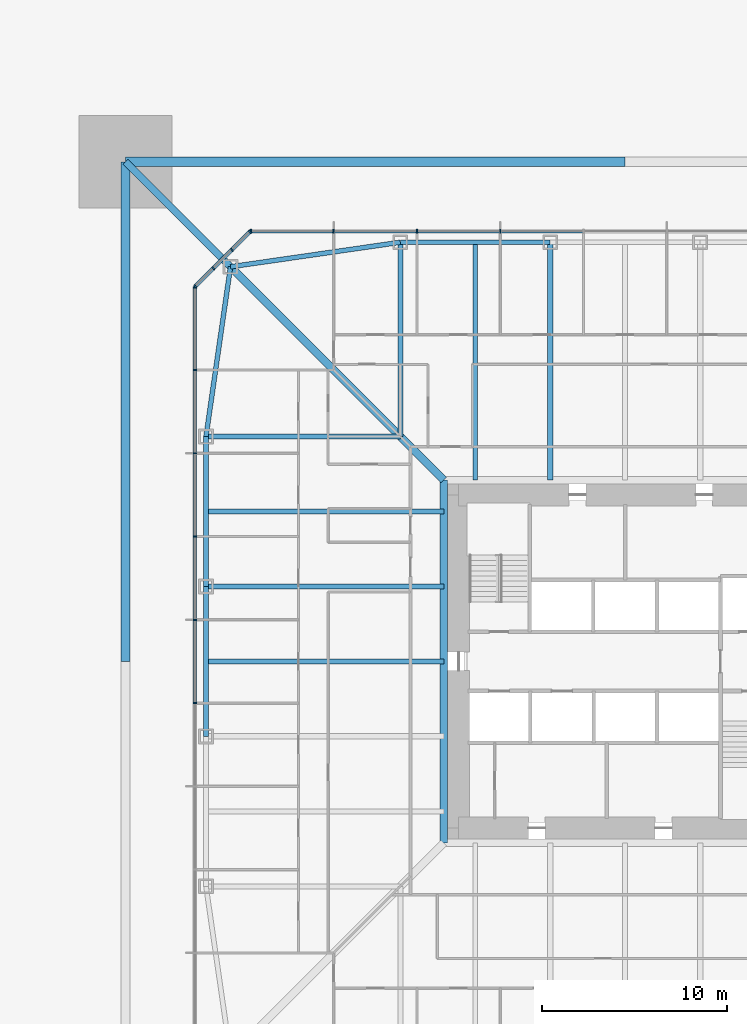
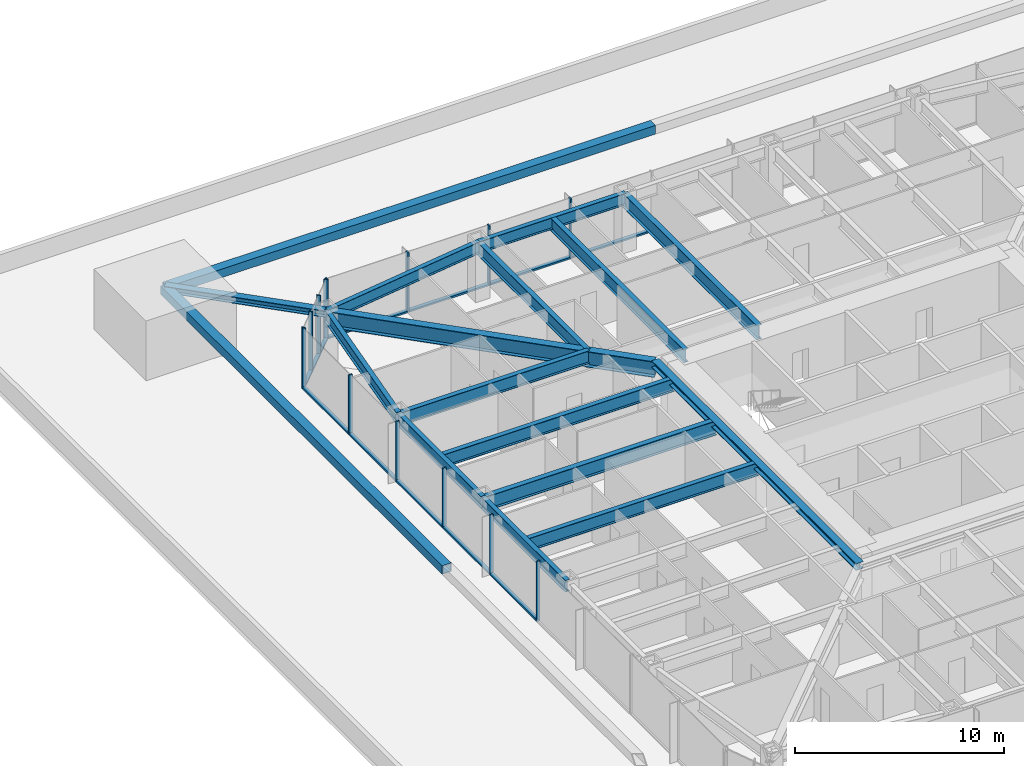
# One storey, part 6 of 31: 29 members, 14 beams, 3 elements without a shape of their own.
"""IFC4 building model written with IfcOpenShell, lengths in metres."""

from ifc_helpers import new_model, si_unit, direction, frame, origin, origin_2d, place, context, subcontext, project, spatial, rectangle, hollow_rectangle, i_section, extrude, material, material_profile, profile_set, type_object, element, aggregate, save


model = new_model("IFC4")

# Units and contexts
model_context = context("Model", 3, precision=1e-05, world=origin(), true_north=direction((0.0, 1.0)))
body_context = subcontext(model_context, "Body", "Model", "MODEL_VIEW")
ifc_project = project(units=[si_unit("LENGTHUNIT", "METRE"), si_unit("AREAUNIT", "SQUARE_METRE"), si_unit("VOLUMEUNIT", "CUBIC_METRE"), si_unit("PLANEANGLEUNIT", "RADIAN"), si_unit("MASSUNIT", "GRAM", prefix="KILO")], contexts=[model_context])

# Site, building, storey
site_placement = place(None, origin())
site = spatial("IfcSite", under=ifc_project, at=site_placement, CompositionType="ELEMENT")
building_placement = place(site_placement, origin())
building = spatial("IfcBuilding", under=site, at=building_placement, Name="Iwan Alto Co-Living Towers", CompositionType="ELEMENT")
storey_placement = place(building_placement, frame((0.0, 0.0, 15.0)))
storey = spatial("IfcBuildingStorey", under=building, at=storey_placement, Name="L03", CompositionType="ELEMENT", Elevation=15.0)

# Curtain wall, members
ifc_material_1 = material(Name="Bronze aluminium unitised frame", Category="aluminium")
curtain_wall_type_1 = type_object("IfcCurtainWallType", Name="CURTAIN WALL CW-A", PredefinedType="NOTDEFINED", material=ifc_material_1)
curtain_wall_1_placement = place(storey_placement, origin())
curtain_wall_1 = element("IfcCurtainWall", 1, at=curtain_wall_1_placement, inside=storey, type_object=curtain_wall_type_1, Name="T1 curtain wall N L03", PredefinedType="NOTDEFINED")
ifc_material_2 = material(Name="Aluminium 6063-T6 bronze anodised", Category="aluminium")
ifc_material_profile_1 = material_profile(ifc_material_2, rectangle(XDim=0.199951171875, YDim=0.080078125, at=origin_2d()), Name="AL 80X200")
ifc_profile_set_1 = profile_set([ifc_material_profile_1], Name="Aluminium 6063-T6 bronze anodised")
member_type_1 = type_object("IfcMemberType", Name="CW-A MULLION 80X200", PredefinedType="MULLION", material=ifc_profile_set_1)
member_1_placement = place(storey_placement, frame((-6.75, 23.25, 0.0), z_axis=(0.0, 0.0, 1.0), x_axis=(0.0, -1.0, 0.0)))
member_1 = element("IfcMember", 2, at=member_1_placement, type_object=member_type_1, Name="CW-A mullion 7", PredefinedType="MULLION", context=body_context, shape_type="SweptSolid", body=[
    extrude(rectangle(XDim=0.199951171875, YDim=0.080078125, at=origin_2d()), origin(), (0.0, 0.0, 1.0), 3.5),
])
member_2_placement = place(storey_placement, frame((-11.25, 23.25, 0.0), z_axis=(0.0, 0.0, 1.0), x_axis=(0.0, -1.0, 0.0)))
member_2 = element("IfcMember", 3, at=member_2_placement, type_object=member_type_1, Name="CW-A mullion 8", PredefinedType="MULLION", context=body_context, shape_type="SweptSolid", body=[
    extrude(rectangle(XDim=0.199951171875, YDim=0.080078125, at=origin_2d()), origin(), (0.0, 0.0, 1.0), 3.5),
])
member_3_placement = place(storey_placement, frame((-15.75, 23.25, 0.0), z_axis=(0.0, 0.0, 1.0), x_axis=(0.0, -1.0, 0.0)))
member_3 = element("IfcMember", 4, at=member_3_placement, type_object=member_type_1, Name="CW-A mullion 9", PredefinedType="MULLION", context=body_context, shape_type="SweptSolid", body=[
    extrude(rectangle(XDim=0.199951171875, YDim=0.080078125, at=origin_2d()), origin(), (0.0, 0.0, 1.0), 3.5),
])
member_4_placement = place(storey_placement, frame((-20.2099609375, 23.25, 0.0), z_axis=(0.0, 0.0, 1.0), x_axis=(0.0, -1.0, 0.0)))
member_4 = element("IfcMember", 5, at=member_4_placement, type_object=member_type_1, Name="CW-A mullion 10", PredefinedType="MULLION", context=body_context, shape_type="SweptSolid", body=[
    extrude(rectangle(XDim=0.199951171875, YDim=0.080078125, at=origin_2d()), origin(), (0.0, 0.0, 1.0), 3.5),
])

curtain_wall_2_placement = place(storey_placement, origin())
curtain_wall_2 = element("IfcCurtainWall", 6, at=curtain_wall_2_placement, inside=storey, type_object=curtain_wall_type_1, Name="T1 curtain wall W L03", PredefinedType="NOTDEFINED")
member_5_placement = place(storey_placement, frame((-23.25, 20.2099609375, 0.0), z_axis=(0.0, 0.0, 1.0), x_axis=(1.0, 0.0, 0.0)))
member_5 = element("IfcMember", 7, at=member_5_placement, type_object=member_type_1, Name="CW-A mullion 1", PredefinedType="MULLION", context=body_context, shape_type="SweptSolid", body=[
    extrude(rectangle(XDim=0.199951171875, YDim=0.080078125, at=origin_2d()), origin(), (0.0, 0.0, 1.0), 3.5),
])
member_6_placement = place(storey_placement, frame((-23.25, 15.75, 0.0), z_axis=(0.0, 0.0, 1.0), x_axis=(1.0, 0.0, 0.0)))
member_6 = element("IfcMember", 8, at=member_6_placement, type_object=member_type_1, Name="CW-A mullion 2", PredefinedType="MULLION", context=body_context, shape_type="SweptSolid", body=[
    extrude(rectangle(XDim=0.199951171875, YDim=0.080078125, at=origin_2d()), origin(), (0.0, 0.0, 1.0), 3.5),
])
member_7_placement = place(storey_placement, frame((-23.25, 11.25, 0.0), z_axis=(0.0, 0.0, 1.0), x_axis=(1.0, 0.0, 0.0)))
member_7 = element("IfcMember", 9, at=member_7_placement, type_object=member_type_1, Name="CW-A mullion 3", PredefinedType="MULLION", context=body_context, shape_type="SweptSolid", body=[
    extrude(rectangle(XDim=0.199951171875, YDim=0.080078125, at=origin_2d()), origin(), (0.0, 0.0, 1.0), 3.5),
])
member_8_placement = place(storey_placement, frame((-23.25, 6.75, 0.0), z_axis=(0.0, 0.0, 1.0), x_axis=(1.0, 0.0, 0.0)))
member_8 = element("IfcMember", 10, at=member_8_placement, type_object=member_type_1, Name="CW-A mullion 4", PredefinedType="MULLION", context=body_context, shape_type="SweptSolid", body=[
    extrude(rectangle(XDim=0.199951171875, YDim=0.080078125, at=origin_2d()), origin(), (0.0, 0.0, 1.0), 3.5),
])
member_9_placement = place(storey_placement, frame((-23.25, 2.25, 0.0), z_axis=(0.0, 0.0, 1.0), x_axis=(1.0, 0.0, 0.0)))
member_9 = element("IfcMember", 11, at=member_9_placement, type_object=member_type_1, Name="CW-A mullion 5", PredefinedType="MULLION", context=body_context, shape_type="SweptSolid", body=[
    extrude(rectangle(XDim=0.199951171875, YDim=0.080078125, at=origin_2d()), origin(), (0.0, 0.0, 1.0), 3.5),
])
member_10_placement = place(storey_placement, frame((-23.25, -2.25, 0.0), z_axis=(0.0, 0.0, 1.0), x_axis=(1.0, 0.0, 0.0)))
member_10 = element("IfcMember", 12, at=member_10_placement, type_object=member_type_1, Name="CW-A mullion 6", PredefinedType="MULLION", context=body_context, shape_type="SweptSolid", body=[
    extrude(rectangle(XDim=0.199951171875, YDim=0.080078125, at=origin_2d()), origin(), (0.0, 0.0, 1.0), 3.5),
])

# Member
ifc_material_3 = material(Name="Aluminium 6063-T6 bronze anodised", Category="aluminium")
ifc_material_profile_2 = material_profile(ifc_material_3, rectangle(XDim=0.199951171875, YDim=0.10009765625, at=origin_2d()), Name="AL 200X100")
ifc_profile_set_2 = profile_set([ifc_material_profile_2], Name="Aluminium 6063-T6 bronze anodised")
member_type_2 = type_object("IfcMemberType", Name="CW-A TRANSOM 200X100", PredefinedType="USERDEFINED", material=ifc_profile_set_2)
member_11_placement = place(storey_placement, frame((-2.2900390625, 23.25, 0.050048828125), z_axis=(-1.0, 0.0, 0.0), x_axis=(0.0, -1.0, 0.0)))
member_11 = element("IfcMember", 13, at=member_11_placement, type_object=member_type_2, Name="CW-A transom 6.1", ObjectType="TRANSOM", PredefinedType="USERDEFINED", context=body_context, shape_type="SweptSolid", body=[
    extrude(rectangle(XDim=0.199951171875, YDim=0.10009765625, at=origin_2d()), origin(), (0.0, 0.0, 1.0), 4.419921875),
])

member_12_placement = place(storey_placement, frame((-6.7900390625, 23.25, 0.050048828125), z_axis=(-1.0, 0.0, 0.0), x_axis=(0.0, -1.0, 0.0)))
member_12 = element("IfcMember", 14, at=member_12_placement, type_object=member_type_2, Name="CW-A transom 7.1", ObjectType="TRANSOM", PredefinedType="USERDEFINED", context=body_context, shape_type="SweptSolid", body=[
    extrude(rectangle(XDim=0.199951171875, YDim=0.10009765625, at=origin_2d()), origin(), (0.0, 0.0, 1.0), 4.419921875),
])

member_13_placement = place(storey_placement, frame((-11.2900390625, 23.25, 0.050048828125), z_axis=(-1.0, 0.0, 0.0), x_axis=(0.0, -1.0, 0.0)))
member_13 = element("IfcMember", 15, at=member_13_placement, type_object=member_type_2, Name="CW-A transom 8.1", ObjectType="TRANSOM", PredefinedType="USERDEFINED", context=body_context, shape_type="SweptSolid", body=[
    extrude(rectangle(XDim=0.199951171875, YDim=0.10009765625, at=origin_2d()), origin(), (0.0, 0.0, 1.0), 4.419921875),
])

member_14_placement = place(storey_placement, frame((-15.7900390625, 23.25, 0.050048828125), z_axis=(-1.0, 0.0, 0.0), x_axis=(0.0, -1.0, 0.0)))
member_14 = element("IfcMember", 16, at=member_14_placement, type_object=member_type_2, Name="CW-A transom 9.1", ObjectType="TRANSOM", PredefinedType="USERDEFINED", context=body_context, shape_type="SweptSolid", body=[
    extrude(rectangle(XDim=0.199951171875, YDim=0.10009765625, at=origin_2d()), origin(), (0.0, 0.0, 1.0), 4.3798828125),
])

aggregate(curtain_wall_1, [member_1, member_2, member_3, member_4, member_11, member_12, member_13, member_14])

member_15_placement = place(storey_placement, frame((-23.25, 20.169921875, 0.050048828125), z_axis=(0.0, -1.0, 0.0), x_axis=(1.0, 0.0, 0.0)))
member_15 = element("IfcMember", 17, at=member_15_placement, type_object=member_type_2, Name="CW-A transom 1.1", ObjectType="TRANSOM", PredefinedType="USERDEFINED", context=body_context, shape_type="SweptSolid", body=[
    extrude(rectangle(XDim=0.199951171875, YDim=0.10009765625, at=origin_2d()), origin(), (0.0, 0.0, 1.0), 4.3798828125),
])

member_16_placement = place(storey_placement, frame((-23.25, 15.7099609375, 0.050048828125), z_axis=(0.0, -1.0, 0.0), x_axis=(1.0, 0.0, 0.0)))
member_16 = element("IfcMember", 18, at=member_16_placement, type_object=member_type_2, Name="CW-A transom 2.1", ObjectType="TRANSOM", PredefinedType="USERDEFINED", context=body_context, shape_type="SweptSolid", body=[
    extrude(rectangle(XDim=0.199951171875, YDim=0.10009765625, at=origin_2d()), origin(), (0.0, 0.0, 1.0), 4.419921875),
])

member_17_placement = place(storey_placement, frame((-23.25, 11.2099609375, 0.050048828125), z_axis=(0.0, -1.0, 0.0), x_axis=(1.0, 0.0, 0.0)))
member_17 = element("IfcMember", 19, at=member_17_placement, type_object=member_type_2, Name="CW-A transom 3.1", ObjectType="TRANSOM", PredefinedType="USERDEFINED", context=body_context, shape_type="SweptSolid", body=[
    extrude(rectangle(XDim=0.199951171875, YDim=0.10009765625, at=origin_2d()), origin(), (0.0, 0.0, 1.0), 4.419921875),
])

member_18_placement = place(storey_placement, frame((-23.25, 6.7099609375, 0.050048828125), z_axis=(0.0, -1.0, 0.0), x_axis=(1.0, 0.0, 0.0)))
member_18 = element("IfcMember", 20, at=member_18_placement, type_object=member_type_2, Name="CW-A transom 4.1", ObjectType="TRANSOM", PredefinedType="USERDEFINED", context=body_context, shape_type="SweptSolid", body=[
    extrude(rectangle(XDim=0.199951171875, YDim=0.10009765625, at=origin_2d()), origin(), (0.0, 0.0, 1.0), 4.419921875),
])

member_19_placement = place(storey_placement, frame((-23.25, 2.2099609375, 0.050048828125), z_axis=(0.0, -1.0, 0.0), x_axis=(1.0, 0.0, 0.0)))
member_19 = element("IfcMember", 21, at=member_19_placement, type_object=member_type_2, Name="CW-A transom 5.1", ObjectType="TRANSOM", PredefinedType="USERDEFINED", context=body_context, shape_type="SweptSolid", body=[
    extrude(rectangle(XDim=0.199951171875, YDim=0.10009765625, at=origin_2d()), origin(), (0.0, 0.0, 1.0), 4.419921875),
])

aggregate(curtain_wall_2, [member_5, member_6, member_7, member_8, member_9, member_10, member_15, member_16, member_17, member_18, member_19])

# Curtain wall, members
ifc_material_4 = material(Name="Bronze aluminium unitised frame", Category="aluminium")
curtain_wall_type_2 = type_object("IfcCurtainWallType", Name="CURTAIN WALL CW-B", PredefinedType="NOTDEFINED", material=ifc_material_4)
curtain_wall_3_placement = place(storey_placement, origin())
curtain_wall_3 = element("IfcCurtainWall", 22, at=curtain_wall_3_placement, inside=storey, type_object=curtain_wall_type_2, Name="T1 chamfer curtain wall NW L03", PredefinedType="NOTDEFINED")
ifc_material_5 = material(Name="Aluminium 6063-T6 bronze anodised", Category="aluminium")
ifc_material_profile_3 = material_profile(ifc_material_5, rectangle(XDim=0.199951171875, YDim=0.080078125, at=origin_2d()), Name="AL 80X200")
ifc_profile_set_3 = profile_set([ifc_material_profile_3], Name="Aluminium 6063-T6 bronze anodised")
member_type_3 = type_object("IfcMemberType", Name="CW-B MULLION 80X200", PredefinedType="MULLION", material=ifc_profile_set_3)
member_20_placement = place(storey_placement, frame((-20.2783203125, 23.2216796875, 0.0), z_axis=(0.0, 0.0, 1.0), x_axis=(0.707106781187, -0.707106781187, 0.0)))
member_20 = element("IfcMember", 23, at=member_20_placement, type_object=member_type_3, Name="CW-B mullion 1", PredefinedType="MULLION", context=body_context, shape_type="SweptSolid", body=[
    extrude(rectangle(XDim=0.199951171875, YDim=0.080078125, at=origin_2d()), origin(), (0.0, 0.0, 1.0), 3.5),
])
member_21_placement = place(storey_placement, frame((-21.25, 22.25, 0.0), z_axis=(0.0, 0.0, 1.0), x_axis=(0.707106781187, -0.707106781187, 0.0)))
member_21 = element("IfcMember", 24, at=member_21_placement, type_object=member_type_3, Name="CW-B mullion 2", PredefinedType="MULLION", context=body_context, shape_type="SweptSolid", body=[
    extrude(rectangle(XDim=0.199951171875, YDim=0.080078125, at=origin_2d()), origin(), (0.0, 0.0, 1.0), 3.5),
])
member_22_placement = place(storey_placement, frame((-22.25, 21.25, 0.0), z_axis=(0.0, 0.0, 1.0), x_axis=(0.707106781187, -0.707106781187, 0.0)))
member_22 = element("IfcMember", 25, at=member_22_placement, type_object=member_type_3, Name="CW-B mullion 3", PredefinedType="MULLION", context=body_context, shape_type="SweptSolid", body=[
    extrude(rectangle(XDim=0.199951171875, YDim=0.080078125, at=origin_2d()), origin(), (0.0, 0.0, 1.0), 3.5),
])
member_23_placement = place(storey_placement, frame((-23.2216796875, 20.2783203125, 0.0), z_axis=(0.0, 0.0, 1.0), x_axis=(0.707106781187, -0.707106781187, 0.0)))
member_23 = element("IfcMember", 26, at=member_23_placement, type_object=member_type_3, Name="CW-B mullion 4", PredefinedType="MULLION", context=body_context, shape_type="SweptSolid", body=[
    extrude(rectangle(XDim=0.199951171875, YDim=0.080078125, at=origin_2d()), origin(), (0.0, 0.0, 1.0), 3.5),
])
ifc_material_6 = material(Name="Aluminium 6063-T6 bronze anodised", Category="aluminium")
ifc_material_profile_4 = material_profile(ifc_material_6, rectangle(XDim=0.199951171875, YDim=0.10009765625, at=origin_2d()), Name="AL 200X100")
ifc_profile_set_4 = profile_set([ifc_material_profile_4], Name="Aluminium 6063-T6 bronze anodised")
member_type_4 = type_object("IfcMemberType", Name="CW-B TRANSOM 200X100", PredefinedType="USERDEFINED", material=ifc_profile_set_4)
member_24_placement = place(storey_placement, frame((-20.306640625, 23.193359375, 0.050048828125), z_axis=(-0.707106781187, -0.707106781187, 0.0), x_axis=(0.707106781187, -0.707106781187, 0.0)))
member_24 = element("IfcMember", 27, at=member_24_placement, type_object=member_type_4, Name="CW-B transom 1.1", ObjectType="TRANSOM", PredefinedType="USERDEFINED", context=body_context, shape_type="SweptSolid", body=[
    extrude(rectangle(XDim=0.199951171875, YDim=0.10009765625, at=origin_2d()), origin(), (0.0, 0.0, 1.0), 1.2939453125),
])
member_25_placement = place(storey_placement, frame((-21.2783203125, 22.2216796875, 0.050048828125), z_axis=(-0.707106781187, -0.707106781187, 0.0), x_axis=(0.707106781187, -0.707106781187, 0.0)))
member_25 = element("IfcMember", 28, at=member_25_placement, type_object=member_type_4, Name="CW-B transom 2.1", ObjectType="TRANSOM", PredefinedType="USERDEFINED", context=body_context, shape_type="SweptSolid", body=[
    extrude(rectangle(XDim=0.199951171875, YDim=0.10009765625, at=origin_2d()), origin(), (0.0, 0.0, 1.0), 1.334228515625),
])
member_26_placement = place(storey_placement, frame((-22.2783203125, 21.2216796875, 0.050048828125), z_axis=(-0.707106781187, -0.707106781187, 0.0), x_axis=(0.707106781187, -0.707106781187, 0.0)))
member_26 = element("IfcMember", 29, at=member_26_placement, type_object=member_type_4, Name="CW-B transom 3.1", ObjectType="TRANSOM", PredefinedType="USERDEFINED", context=body_context, shape_type="SweptSolid", body=[
    extrude(rectangle(XDim=0.199951171875, YDim=0.10009765625, at=origin_2d()), origin(), (0.0, 0.0, 1.0), 1.2939453125),
])
aggregate(curtain_wall_3, [member_20, member_21, member_22, member_23, member_24, member_25, member_26])

# Beams
ifc_material_7 = material(Name="Steel ASTM A992 Gr 50", Category="steel")
ifc_material_profile_5 = material_profile(ifc_material_7, i_section(OverallWidth=0.40380859375, OverallDepth=0.406494140625, WebThickness=0.027099609375, FlangeThickness=0.043701171875, at=origin_2d()), Name="W14X233")
ifc_profile_set_5 = profile_set([ifc_material_profile_5], Name="Steel ASTM A992 Gr 50")
beam_type_1 = type_object("IfcBeamType", Name="T1 CORE LEDGER BEAM W14X233", PredefinedType="BEAM", material=ifc_profile_set_5)
beam_1_placement = place(storey_placement, frame((-9.802001953125, 9.802001953125, 3.06689453125), z_axis=(0.0, -1.0, 0.0), x_axis=(1.0, 0.0, 0.0)))
element("IfcBeam", 30, at=beam_1_placement, inside=storey, type_object=beam_type_1, Name="T1 core ledger beam W L04", PredefinedType="BEAM", context=body_context, shape_type="SweptSolid", body=[
    extrude(i_section(OverallWidth=0.40380859375, OverallDepth=0.406494140625, WebThickness=0.027099609375, FlangeThickness=0.043701171875, at=origin_2d()), origin(), (0.0, 0.0, 1.0), 19.60400390625),
])
ifc_material_8 = material(Name="Steel ASTM A992 Gr 50", Category="steel")
ifc_material_profile_6 = material_profile(ifc_material_8, i_section(OverallWidth=0.419189453125, OverallDepth=0.927001953125, WebThickness=0.019287109375, FlangeThickness=0.031982421875, at=origin_2d()), Name="W36X231")
ifc_profile_set_6 = profile_set([ifc_material_profile_6], Name="Steel ASTM A992 Gr 50")
beam_type_2 = type_object("IfcBeamType", Name="T1 CORNER GIRDER W36X231", PredefinedType="BEAM", material=ifc_profile_set_6)
beam_2_placement = place(storey_placement, frame((-21.32568359375, 21.32568359375, 2.806396484375), z_axis=(0.707106781187, -0.707106781187, 0.0), x_axis=(0.707106781187, 0.707106781187, 0.0)))
element("IfcBeam", 31, at=beam_2_placement, inside=storey, type_object=beam_type_2, Name="T1 corner girder CNW L04", PredefinedType="BEAM", context=body_context, shape_type="SweptSolid", body=[
    extrude(i_section(OverallWidth=0.419189453125, OverallDepth=0.927001953125, WebThickness=0.019287109375, FlangeThickness=0.031982421875, at=origin_2d()), origin(), (0.0, 0.0, 1.0), 16.296875),
])
ifc_material_9 = material(Name="Steel ASTM A992 Gr 50", Category="steel")
ifc_material_profile_7 = material_profile(ifc_material_9, i_section(OverallWidth=0.25390625, OverallDepth=0.683349609375, WebThickness=0.012451171875, FlangeThickness=0.018798828125, at=origin_2d()), Name="W27X94")
ifc_profile_set_7 = profile_set([ifc_material_profile_7], Name="Steel ASTM A992 Gr 50")
beam_type_3 = type_object("IfcBeamType", Name="T1 EDGE BEAM W27X94", PredefinedType="BEAM", material=ifc_profile_set_7)
beam_3_placement = place(storey_placement, frame((-4.050048828125, 22.64990234375, 2.928466796875), z_axis=(-1.0, 0.0, 0.0), x_axis=(0.0, -1.0, 0.0)))
element("IfcBeam", 32, at=beam_3_placement, inside=storey, type_object=beam_type_3, Name="T1 edge beam N3 L04", PredefinedType="BEAM", context=body_context, shape_type="SweptSolid", body=[
    extrude(i_section(OverallWidth=0.25390625, OverallDepth=0.683349609375, WebThickness=0.012451171875, FlangeThickness=0.018798828125, at=origin_2d()), origin(), (0.0, 0.0, 1.0), 8.099853515625),
])
for number, where, z_axis, x_axis, name in (
    (33, (-12.14990234375, 22.64990234375, 2.928466796875), (-0.989746234347, -0.142836940589, 0.0), (0.142836940589, -0.989746234347, 0.0), "T1 edge beam N4 L04"),
    (34, (-21.32568359375, 21.32568359375, 2.928466796875), (-0.142836940589, -0.989746234347, 0.0), (0.989746234347, -0.142836940589, 0.0), "T1 edge beam CNW L04"),
):
    element("IfcBeam", number, at=place(storey_placement, frame(where, z_axis=z_axis, x_axis=x_axis)), inside=storey, type_object=beam_type_3, Name=name, PredefinedType="BEAM", context=body_context, shape_type="SweptSolid", body=[
        extrude(i_section(OverallWidth=0.25390625, OverallDepth=0.683349609375, WebThickness=0.012451171875, FlangeThickness=0.018798828125, at=origin_2d()), origin(), (0.0, 0.0, 1.0), 9.270751953125),
    ])
beam_4_placement = place(storey_placement, frame((-22.64990234375, 12.14990234375, 2.928466796875), z_axis=(0.0, -1.0, 0.0), x_axis=(1.0, 0.0, 0.0)))
element("IfcBeam", 35, at=beam_4_placement, inside=storey, type_object=beam_type_3, Name="T1 edge beam W1 L04", PredefinedType="BEAM", context=body_context, shape_type="SweptSolid", body=[
    extrude(i_section(OverallWidth=0.25390625, OverallDepth=0.683349609375, WebThickness=0.012451171875, FlangeThickness=0.018798828125, at=origin_2d()), origin(), (0.0, 0.0, 1.0), 8.099853515625),
])
beam_5_placement = place(storey_placement, frame((-22.64990234375, 4.050048828125, 2.928466796875), z_axis=(0.0, -1.0, 0.0), x_axis=(1.0, 0.0, 0.0)))
element("IfcBeam", 36, at=beam_5_placement, inside=storey, type_object=beam_type_3, Name="T1 edge beam W2 L04", PredefinedType="BEAM", context=body_context, shape_type="SweptSolid", body=[
    extrude(i_section(OverallWidth=0.25390625, OverallDepth=0.683349609375, WebThickness=0.012451171875, FlangeThickness=0.018798828125, at=origin_2d()), origin(), (0.0, 0.0, 1.0), 8.10009765625),
])

# Members
ifc_material_10 = material(Name="Steel ASTM A992 Gr 50", Category="steel")
ifc_material_profile_8 = material_profile(ifc_material_10, i_section(OverallWidth=0.393798828125, OverallDepth=0.3759765625, WebThickness=0.017333984375, FlangeThickness=0.027587890625, at=origin_2d()), Name="W14X145")
ifc_profile_set_8 = profile_set([ifc_material_profile_8], Name="Steel ASTM A992 Gr 50")
member_type_5 = type_object("IfcMemberType", Name="T1 MEGA COLUMN FLOOR TIE W14X145", PredefinedType="STRUT", material=ifc_profile_set_8)
member_27_placement = place(storey_placement, frame((-27.0, 27.0, 3.08203125), z_axis=(0.707106781187, -0.707106781187, 0.0), x_axis=(0.707106781187, 0.707106781187, 0.0)))
element("IfcMember", 37, at=member_27_placement, inside=storey, type_object=member_type_5, Name="T1 mega column floor tie NW L04", PredefinedType="STRUT", context=body_context, shape_type="SweptSolid", body=[
    extrude(i_section(OverallWidth=0.393798828125, OverallDepth=0.3759765625, WebThickness=0.017333984375, FlangeThickness=0.027587890625, at=origin_2d()), origin(), (0.0, 0.0, 1.0), 8.024658203125),
])
ifc_material_11 = material(Name="Steel ASTM A572 Gr 50", Category="steel")
ifc_material_profile_9 = material_profile(ifc_material_11, hollow_rectangle(XDim=0.5, YDim=0.5, WallThickness=0.031982421875, at=origin_2d()), Name="BOX 500X500X32")
ifc_profile_set_9 = profile_set([ifc_material_profile_9], Name="Steel ASTM A572 Gr 50")
member_type_6 = type_object("IfcMemberType", Name="T1 MEGA TIE BOX 500X500X32", PredefinedType="STRUT", material=ifc_profile_set_9)
for number, where, z_axis, x_axis, name in (
    (38, (0.0, 27.0, 3.0), (-1.0, 0.0, 0.0), (0.0, -1.0, 0.0), "T1 mega tie Z1A N 2"),
    (39, (-27.0, 27.0, 3.0), (0.0, -1.0, 0.0), (1.0, 0.0, 0.0), "T1 mega tie Z1A W 1"),
):
    element("IfcMember", number, at=place(storey_placement, frame(where, z_axis=z_axis, x_axis=x_axis)), inside=storey, type_object=member_type_6, Name=name, PredefinedType="STRUT", context=body_context, shape_type="SweptSolid", body=[
        extrude(hollow_rectangle(XDim=0.5, YDim=0.5, WallThickness=0.031982421875, at=origin_2d()), origin(), (0.0, 0.0, 1.0), 27.0),
    ])

# Beams
ifc_material_12 = material(Name="Steel ASTM A992 Gr 50", Category="steel")
ifc_material_profile_10 = material_profile(ifc_material_12, i_section(OverallWidth=0.2666015625, OverallDepth=0.761962890625, WebThickness=0.014404296875, FlangeThickness=0.021484375, at=origin_2d()), Name="W30X116")
ifc_profile_set_10 = profile_set([ifc_material_profile_10], Name="Steel ASTM A992 Gr 50")
beam_type_4 = type_object("IfcBeamType", Name="T1 RADIAL BEAM W30X116", PredefinedType="BEAM", material=ifc_profile_set_10)
for number, where, z_axis, x_axis, name in (
    (40, (-12.14990234375, 22.64990234375, 2.888916015625), (0.0, -1.0, 0.0), (1.0, 0.0, 0.0), "T1 radial beam N4 L04"),
    (41, (-22.64990234375, 12.14990234375, 2.888916015625), (1.0, 0.0, 0.0), (0.0, 1.0, 0.0), "T1 radial beam W1 L04"),
):
    element("IfcBeam", number, at=place(storey_placement, frame(where, z_axis=z_axis, x_axis=x_axis)), inside=storey, type_object=beam_type_4, Name=name, PredefinedType="BEAM", context=body_context, shape_type="SweptSolid", body=[
        extrude(i_section(OverallWidth=0.2666015625, OverallDepth=0.761962890625, WebThickness=0.014404296875, FlangeThickness=0.021484375, at=origin_2d()), origin(), (0.0, 0.0, 1.0), 10.5),
    ])
ifc_material_13 = material(Name="Steel ASTM A992 Gr 50", Category="steel")
ifc_material_profile_11 = material_profile(ifc_material_13, i_section(OverallWidth=0.2919921875, OverallDepth=0.8408203125, WebThickness=0.0146484375, FlangeThickness=0.021728515625, at=origin_2d()), Name="W33X130")
ifc_profile_set_11 = profile_set([ifc_material_profile_11], Name="Steel ASTM A992 Gr 50")
beam_type_5 = type_object("IfcBeamType", Name="T1 RADIAL BEAM W33X130", PredefinedType="BEAM", material=ifc_profile_set_11)
for number, where, z_axis, x_axis, name in (
    (42, (-4.050048828125, 22.64990234375, 2.849609375), (0.0, -1.0, 0.0), (1.0, 0.0, 0.0), "T1 radial beam N3 L04"),
    (43, (-22.64990234375, 4.050048828125, 2.849609375), (1.0, 0.0, 0.0), (0.0, 1.0, 0.0), "T1 radial beam W2 L04"),
):
    element("IfcBeam", number, at=place(storey_placement, frame(where, z_axis=z_axis, x_axis=x_axis)), inside=storey, type_object=beam_type_5, Name=name, PredefinedType="BEAM", context=body_context, shape_type="SweptSolid", body=[
        extrude(i_section(OverallWidth=0.2919921875, OverallDepth=0.8408203125, WebThickness=0.0146484375, FlangeThickness=0.021728515625, at=origin_2d()), origin(), (0.0, 0.0, 1.0), 12.847900390625),
    ])
ifc_material_14 = material(Name="Steel ASTM A992 Gr 50", Category="steel")
ifc_material_profile_12 = material_profile(ifc_material_14, i_section(OverallWidth=0.2666015625, OverallDepth=0.761962890625, WebThickness=0.014404296875, FlangeThickness=0.021484375, at=origin_2d()), Name="W30X116")
ifc_profile_set_12 = profile_set([ifc_material_profile_12], Name="Steel ASTM A992 Gr 50")
beam_type_6 = type_object("IfcBeamType", Name="T1 SECONDARY BEAM W30X116", PredefinedType="JOIST", material=ifc_profile_set_12)
for number, where, z_axis, x_axis, name in (
    (44, (-8.10009765625, 22.64990234375, 2.888916015625), (0.0, -1.0, 0.0), (1.0, 0.0, 0.0), "T1 secondary beam N3 L04"),
    (45, (-22.64990234375, 8.10009765625, 2.888916015625), (1.0, 0.0, 0.0), (0.0, 1.0, 0.0), "T1 secondary beam W1 L04"),
    (46, (-22.64990234375, 0.0, 2.888916015625), (1.0, 0.0, 0.0), (0.0, 1.0, 0.0), "T1 secondary beam W2 L04"),
):
    element("IfcBeam", number, at=place(storey_placement, frame(where, z_axis=z_axis, x_axis=x_axis)), inside=storey, type_object=beam_type_6, Name=name, PredefinedType="JOIST", context=body_context, shape_type="SweptSolid", body=[
        extrude(i_section(OverallWidth=0.2666015625, OverallDepth=0.761962890625, WebThickness=0.014404296875, FlangeThickness=0.021484375, at=origin_2d()), origin(), (0.0, 0.0, 1.0), 12.847900390625),
    ])

save(model, "model.ifc")
